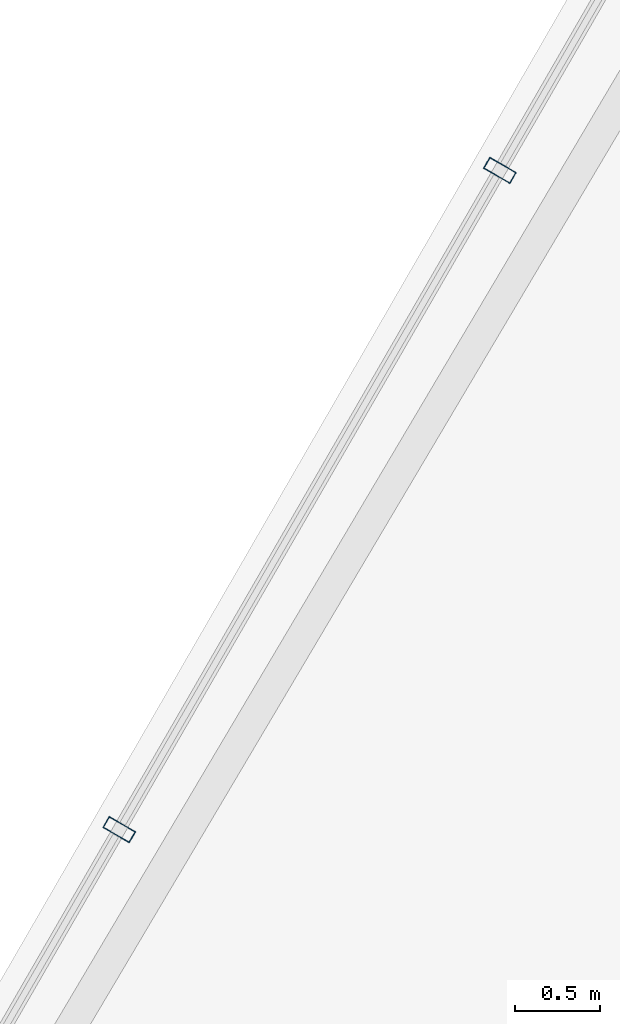
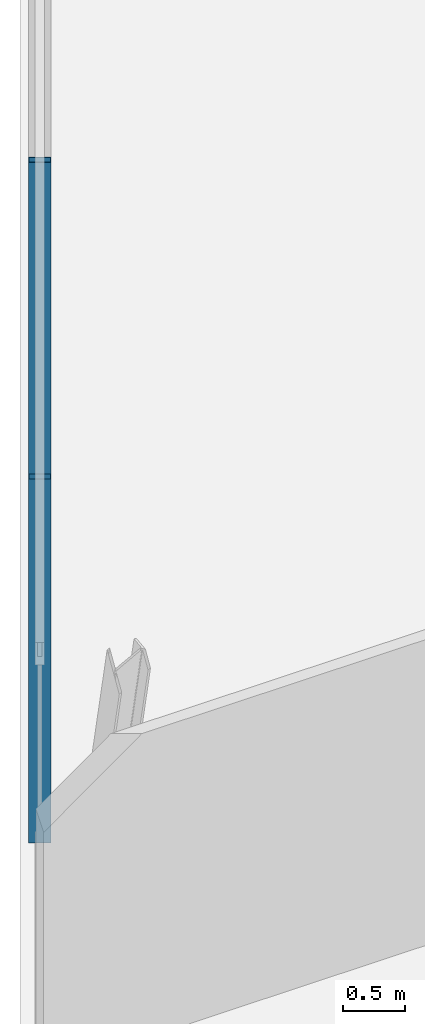
# One storey, part 13 of 32: 2 members, 1 element without a shape of its own.
"""IFC4 building model written with IfcOpenShell, lengths in metres."""

from ifc_helpers import new_model, si_unit, direction, frame, origin, origin_2d, place, context, subcontext, project, spatial, hollow_rectangle, extrude, material, layer, layer_set, material_profile, profile_set, type_object, element, aggregate, save


model = new_model("IFC4")

# Units and contexts
model_context = context("Model", 3, precision=1e-05, world=origin(), true_north=direction((0.0, 1.0)))
body_context = subcontext(model_context, "Body", "Model", "MODEL_VIEW")
ifc_project = project(units=[si_unit("LENGTHUNIT", "METRE"), si_unit("AREAUNIT", "SQUARE_METRE"), si_unit("VOLUMEUNIT", "CUBIC_METRE"), si_unit("PLANEANGLEUNIT", "RADIAN"), si_unit("MASSUNIT", "GRAM", prefix="KILO")], contexts=[model_context])

# Site, building, storey
site_placement = place(None, origin())
site = spatial("IfcSite", under=ifc_project, at=site_placement, CompositionType="ELEMENT")
building_placement = place(site_placement, origin())
building = spatial("IfcBuilding", under=site, at=building_placement, Name="Ndaravel Arena Tower", CompositionType="ELEMENT")
storey_placement = place(building_placement, frame((0.0, 0.0, 290.89990234375)))
storey = spatial("IfcBuildingStorey", under=building, at=storey_placement, Name="L71", CompositionType="ELEMENT", Elevation=290.89990234375)

# Curtain wall, members
ifc_material_1 = material(Name="Aluminium", Category="aluminium")
ifc_layer = layer(ifc_material_1, 0.179931640625)
ifc_layer_set = layer_set([ifc_layer], Name="Aluminium")
curtain_wall_type = type_object("IfcCurtainWallType", Name="CW-SYS-03", PredefinedType="NOTDEFINED", material=ifc_layer_set)
curtain_wall_placement = place(storey_placement, origin())
curtain_wall = element("IfcCurtainWall", 1, at=curtain_wall_placement, inside=storey, type_object=curtain_wall_type, Name="L71 Faceted Crystal Curtain Wall CW-L71-E05", PredefinedType="NOTDEFINED")
ifc_material_2 = material(Name="Aluminium", Category="aluminium")
ifc_material_profile = material_profile(ifc_material_2, hollow_rectangle(XDim=0.074951171875, YDim=0.179931640625, WallThickness=0.00390625, at=origin_2d()), Name="CW MULLION 75x180x4")
ifc_profile_set = profile_set([ifc_material_profile], Name="Aluminium")
member_type = type_object("IfcMemberType", Name="MEM-CW-MUL180", PredefinedType="MULLION", material=ifc_profile_set)
member_1_placement = place(storey_placement, frame((33.04931640625, 32.23046875, 0.0), z_axis=(0.0, 0.0, 1.0), x_axis=(-0.5, -0.866025403784, 0.0)))
member_1 = element("IfcMember", 2, at=member_1_placement, type_object=member_type, Name="CW-L71-E05 Mullion 03", PredefinedType="MULLION", context=body_context, shape_type="SweptSolid", body=[
    extrude(hollow_rectangle(XDim=0.074951171875, YDim=0.179931640625, WallThickness=0.00390625, at=origin_2d()), origin(), (0.0, 0.0, 1.0), 3.580078125),
])
member_2_placement = place(storey_placement, frame((30.8232421875, 28.374755859375, 0.0), z_axis=(0.0, 0.0, 1.0), x_axis=(-0.5, -0.866025403784, 0.0)))
member_2 = element("IfcMember", 3, at=member_2_placement, type_object=member_type, Name="CW-L71-E05 Mullion 04", PredefinedType="MULLION", context=body_context, shape_type="SweptSolid", body=[
    extrude(hollow_rectangle(XDim=0.074951171875, YDim=0.179931640625, WallThickness=0.00390625, at=origin_2d()), origin(), (0.0, 0.0, 1.0), 3.580078125),
])
aggregate(curtain_wall, [member_1, member_2])

save(model, "model.ifc")
